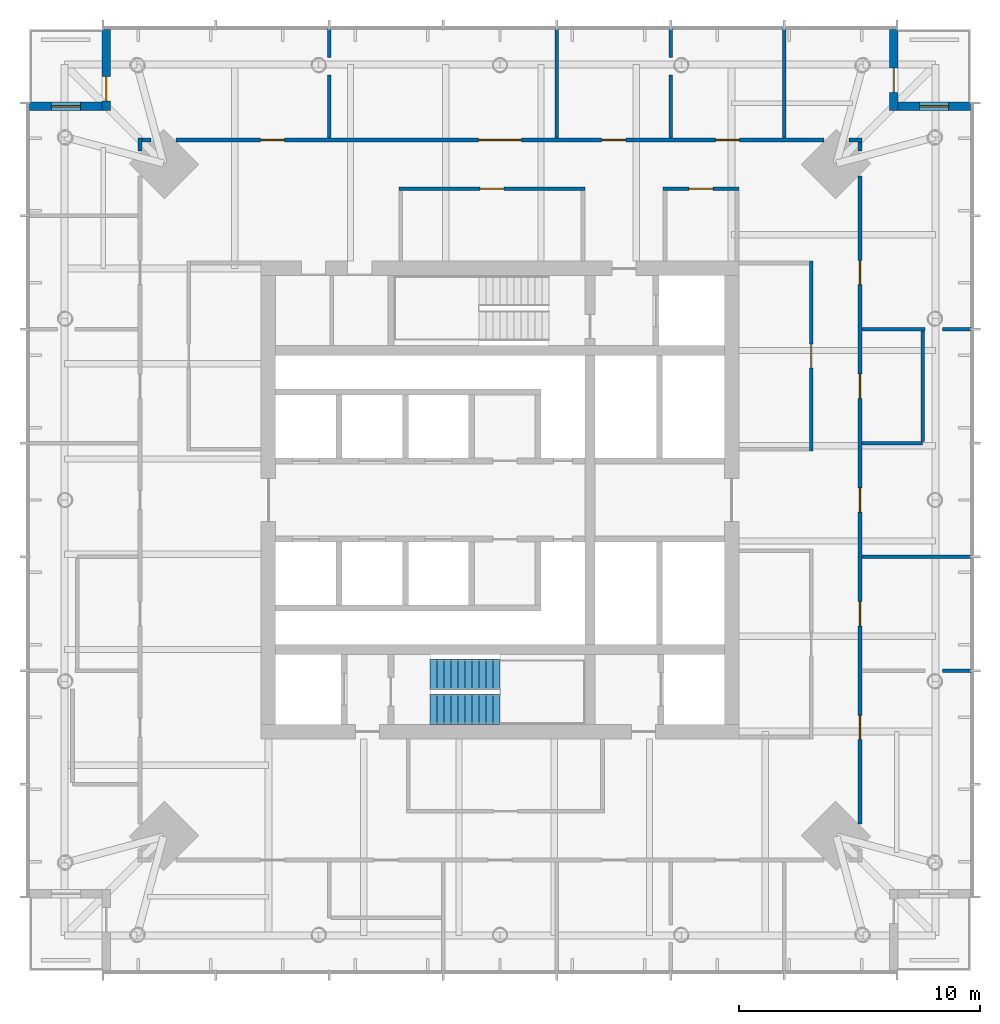
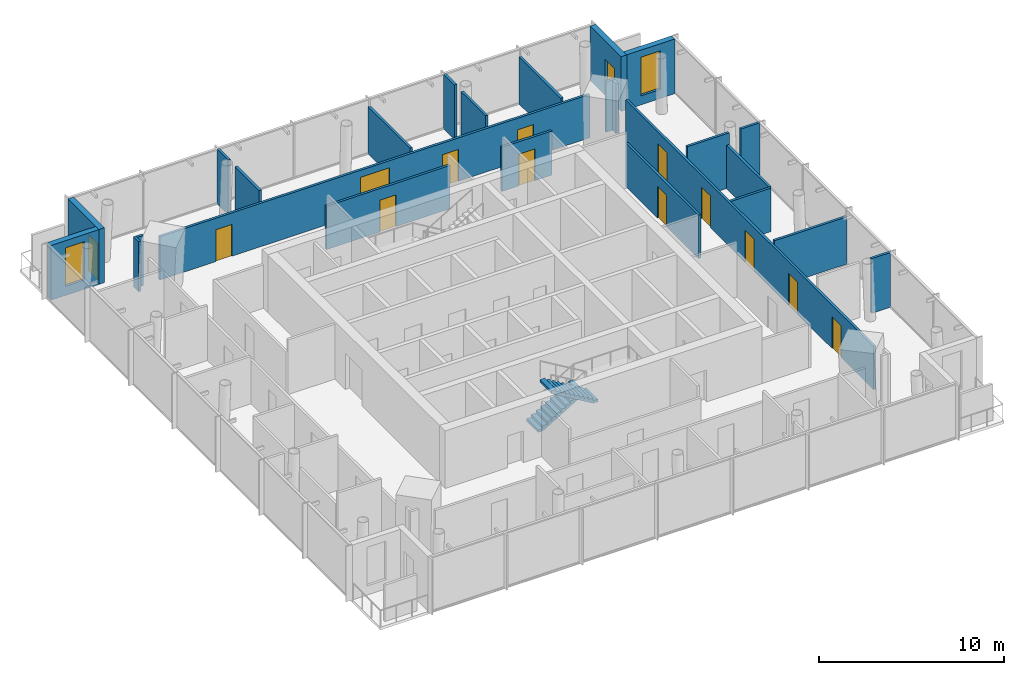
# One storey, part 7 of 9: 25 walls, 14 doors, 2 stair flights, 2 windows, 16 openings, 1 element without a shape of its own.
"""IFC4 building model written with IfcOpenShell, lengths in metres."""

from ifc_helpers import new_model, si_unit, direction, frame, frame_2d, origin, place, context, subcontext, project, spatial, polyline, rectangle, outline, extrude, material, layer, layer_set, type_object, element, fill, aggregate, save


model = new_model("IFC4")

# Units and contexts
model_context = context("Model", 3, precision=1e-05, world=origin(), true_north=direction((0.0, 1.0)))
body_context = subcontext(model_context, "Body", "Model", "MODEL_VIEW")
ifc_project = project(units=[si_unit("LENGTHUNIT", "METRE"), si_unit("AREAUNIT", "SQUARE_METRE"), si_unit("VOLUMEUNIT", "CUBIC_METRE"), si_unit("PLANEANGLEUNIT", "RADIAN"), si_unit("MASSUNIT", "GRAM", prefix="KILO")], contexts=[model_context])

# Site, building, storey
site_placement = place(None, origin())
site = spatial("IfcSite", under=ifc_project, at=site_placement, CompositionType="ELEMENT")
building_placement = place(site_placement, origin())
building = spatial("IfcBuilding", under=site, at=building_placement, Name="Ostroluk Exchange", CompositionType="ELEMENT")
storey_placement = place(building_placement, frame((0.0, 0.0, 207.199951171875)))
storey = spatial("IfcBuildingStorey", under=building, at=storey_placement, Name="L53", CompositionType="ELEMENT", Elevation=207.199951171875)

# Wall, opening, door
ifc_material_1 = material(Name="Limestone", Category="masonry")
ifc_layer_1 = layer(ifc_material_1, 0.35009765625)
ifc_layer_set_1 = layer_set([ifc_layer_1], Name="Limestone facade wall 350")
wall_type_1 = type_object("IfcWallType", Name="Limestone facade wall 350", PredefinedType="SOLIDWALL", material=ifc_layer_set_1)
wall_1_placement = place(storey_placement, frame((61.324951171875, 65.5, 0.0), z_axis=(0.0, 0.0, 1.0), x_axis=(0.0, -1.0, 0.0)))
wall_1 = element("IfcWall", 1, at=wall_1_placement, inside=storey, type_object=wall_type_1, Name="Office tower NE corner wall L53 a", PredefinedType="SOLIDWALL", context=body_context, shape_type="SweptSolid", body=[
    extrude(rectangle(XDim=3.35009765625, YDim=0.35009765625, at=frame_2d((1.675048828125, 0.0))), origin(), (0.0, 0.0, 1.0), 3.6201171875),
])
opening_1_placement = place(wall_1_placement, frame((1.60009765625, 0.0, 0.0)))
opening_1 = element("IfcOpeningElement", 2, at=opening_1_placement, cuts=wall_1, Name="Opening D-B1", PredefinedType="OPENING", context=body_context, shape_type="SweptSolid", body=[
    extrude(rectangle(XDim=1.0, YDim=2.39990234375, at=frame_2d((0.5, 1.199951171875))), frame((0.0, 0.18505859375, 0.0), z_axis=(0.0, -1.0, 0.0), x_axis=(1.0, 0.0, 0.0)), (0.0, 0.0, 1.0), 0.3701171875),
])
ifc_material_2 = material(Name="Bronze framed glazed door", Category="aluminium")
door_type_1 = type_object("IfcDoorType", Name="Balcony door 1000 x 2400", OperationType="SINGLE_SWING_LEFT", PredefinedType="DOOR", material=ifc_material_2)
door_1_placement = place(opening_1_placement, origin())
door_1 = element("IfcDoor", 3, at=door_1_placement, inside=storey, type_object=door_type_1, Name="Office tower NE balcony door L53", OperationType="SINGLE_SWING_RIGHT", OverallHeight=2.39990234375, OverallWidth=1.0, PredefinedType="DOOR", context=body_context, shape_type="SweptSolid", body=[
    extrude(rectangle(XDim=1.0, YDim=2.39990234375, at=frame_2d((0.5, 1.199951171875))), frame((0.0, 0.02490234375, 0.0), z_axis=(0.0, -1.0, 0.0), x_axis=(1.0, 0.0, 0.0)), (0.0, 0.0, 1.0), 0.050048828125),
])
fill(opening_1, door_1)

# Wall, opening, window
wall_2_placement = place(storey_placement, frame((61.5, 62.324951171875, 0.0), z_axis=(0.0, 0.0, 1.0), x_axis=(1.0, 0.0, 0.0)))
wall_2 = element("IfcWall", 4, at=wall_2_placement, inside=storey, type_object=wall_type_1, Name="Office tower NE corner wall L53 b", PredefinedType="SOLIDWALL", context=body_context, shape_type="SweptSolid", body=[
    extrude(rectangle(XDim=3.0, YDim=0.35009765625, at=frame_2d((1.5, 0.0))), origin(), (0.0, 0.0, 1.0), 3.6201171875),
])
opening_2_placement = place(wall_2_placement, frame((0.89990234375, 0.0, 0.60009765625)))
opening_2 = element("IfcOpeningElement", 5, at=opening_2_placement, cuts=wall_2, Name="Opening WN-L1", PredefinedType="OPENING", context=body_context, shape_type="SweptSolid", body=[
    extrude(rectangle(XDim=1.199951171875, YDim=2.550048828125, at=frame_2d((0.60009765625, 1.27490234375))), frame((0.0, 0.18505859375, 0.0), z_axis=(0.0, -1.0, 0.0), x_axis=(1.0, 0.0, 0.0)), (0.0, 0.0, 1.0), 0.3701171875),
])
ifc_material_3 = material(Name="Laminated clear glass", Category="glass")
window_type = type_object("IfcWindowType", Name="Lancet window 1200 x 2550", PartitioningType="SINGLE_PANEL", PredefinedType="WINDOW", material=ifc_material_3)
window_1_placement = place(opening_2_placement, origin())
window_1 = element("IfcWindow", 6, at=window_1_placement, inside=storey, type_object=window_type, Name="Office tower NE lancet window L53", OverallHeight=2.550048828125, OverallWidth=1.199951171875, PartitioningType="SINGLE_PANEL", PredefinedType="WINDOW", context=body_context, shape_type="SweptSolid", body=[
    extrude(rectangle(XDim=1.199951171875, YDim=2.550048828125, at=frame_2d((0.60009765625, 1.27490234375))), frame((0.0, 0.030029296875, 0.0), z_axis=(0.0, -1.0, 0.0), x_axis=(1.0, 0.0, 0.0)), (0.0, 0.0, 1.0), 0.06005859375),
])
fill(opening_2, window_1)

# Wall, opening, door
wall_3_placement = place(storey_placement, frame((28.675048828125, 65.5, 0.0), z_axis=(0.0, 0.0, 1.0), x_axis=(0.0, -1.0, 0.0)))
wall_3 = element("IfcWall", 7, at=wall_3_placement, inside=storey, type_object=wall_type_1, Name="Office tower NW corner wall L53 a", PredefinedType="SOLIDWALL", context=body_context, shape_type="SweptSolid", body=[
    extrude(rectangle(XDim=3.35009765625, YDim=0.35009765625, at=frame_2d((1.675048828125, 0.0))), origin(), (0.0, 0.0, 1.0), 3.6201171875),
])
opening_3_placement = place(wall_3_placement, frame((1.949951171875, 0.0, 0.0)))
opening_3 = element("IfcOpeningElement", 8, at=opening_3_placement, cuts=wall_3, Name="Opening D-B1", PredefinedType="OPENING", context=body_context, shape_type="SweptSolid", body=[
    extrude(rectangle(XDim=1.0, YDim=2.39990234375, at=frame_2d((0.5, 1.199951171875))), frame((0.0, 0.18505859375, 0.0), z_axis=(0.0, -1.0, 0.0), x_axis=(1.0, 0.0, 0.0)), (0.0, 0.0, 1.0), 0.3701171875),
])
door_2_placement = place(opening_3_placement, origin())
door_2 = element("IfcDoor", 9, at=door_2_placement, inside=storey, type_object=door_type_1, Name="Office tower NW balcony door L53", OperationType="SINGLE_SWING_RIGHT", OverallHeight=2.39990234375, OverallWidth=1.0, PredefinedType="DOOR", context=body_context, shape_type="SweptSolid", body=[
    extrude(rectangle(XDim=1.0, YDim=2.39990234375, at=frame_2d((0.5, 1.199951171875))), frame((0.0, 0.02490234375, 0.0), z_axis=(0.0, -1.0, 0.0), x_axis=(1.0, 0.0, 0.0)), (0.0, 0.0, 1.0), 0.050048828125),
])
fill(opening_3, door_2)

# Wall, opening, window
wall_4_placement = place(storey_placement, frame((28.5, 62.324951171875, 0.0), z_axis=(0.0, 0.0, 1.0), x_axis=(-1.0, 0.0, 0.0)))
wall_4 = element("IfcWall", 10, at=wall_4_placement, inside=storey, type_object=wall_type_1, Name="Office tower NW corner wall L53 b", PredefinedType="SOLIDWALL", context=body_context, shape_type="SweptSolid", body=[
    extrude(rectangle(XDim=3.0, YDim=0.35009765625, at=frame_2d((1.5, 0.0))), origin(), (0.0, 0.0, 1.0), 3.6201171875),
])
opening_4_placement = place(wall_4_placement, frame((0.89990234375, 0.0, 0.60009765625)))
opening_4 = element("IfcOpeningElement", 11, at=opening_4_placement, cuts=wall_4, Name="Opening WN-L1", PredefinedType="OPENING", context=body_context, shape_type="SweptSolid", body=[
    extrude(rectangle(XDim=1.199951171875, YDim=2.550048828125, at=frame_2d((0.60009765625, 1.27490234375))), frame((0.0, 0.18505859375, 0.0), z_axis=(0.0, -1.0, 0.0), x_axis=(1.0, 0.0, 0.0)), (0.0, 0.0, 1.0), 0.3701171875),
])
window_2_placement = place(opening_4_placement, origin())
window_2 = element("IfcWindow", 12, at=window_2_placement, inside=storey, type_object=window_type, Name="Office tower NW lancet window L53", OverallHeight=2.550048828125, OverallWidth=1.199951171875, PartitioningType="SINGLE_PANEL", PredefinedType="WINDOW", context=body_context, shape_type="SweptSolid", body=[
    extrude(rectangle(XDim=1.199951171875, YDim=2.550048828125, at=frame_2d((0.60009765625, 1.27490234375))), frame((0.0, 0.030029296875, 0.0), z_axis=(0.0, -1.0, 0.0), x_axis=(1.0, 0.0, 0.0)), (0.0, 0.0, 1.0), 0.06005859375),
])
fill(opening_4, window_2)

# Wall, opening, door
ifc_material_4 = material(Name="Gypsum plasterboard partition", Category="gypsum")
ifc_layer_2 = layer(ifc_material_4, 0.14990234375)
ifc_layer_set_2 = layer_set([ifc_layer_2], Name="Plasterboard partition 150")
wall_type_2 = type_object("IfcWallType", Name="Plasterboard partition 150", PredefinedType="PARTITIONING", material=ifc_layer_set_2)
wall_5_placement = place(storey_placement, frame((57.89990234375, 48.02490234375, 0.0), z_axis=(0.0, 0.0, 1.0), x_axis=(0.0, 1.0, 0.0)))
wall_5 = element("IfcWall", 13, at=wall_5_placement, inside=storey, type_object=wall_type_2, Name="Partition", PredefinedType="PARTITIONING", context=body_context, shape_type="SweptSolid", body=[
    extrude(rectangle(XDim=7.875, YDim=0.14990234375, at=frame_2d((3.9375, 0.0))), origin(), (0.0, 0.0, 1.0), 2.866943359375),
])
opening_5_placement = place(wall_5_placement, frame((3.4375, 0.0, 0.0)))
opening_5 = element("IfcOpeningElement", 14, at=opening_5_placement, cuts=wall_5, Name="Opening D-03", PredefinedType="OPENING", context=body_context, shape_type="SweptSolid", body=[
    extrude(rectangle(XDim=1.0, YDim=2.10009765625, at=frame_2d((0.5, 1.050048828125))), frame((0.0, 0.0849609375, 0.0), z_axis=(0.0, -1.0, 0.0), x_axis=(1.0, 0.0, 0.0)), (0.0, 0.0, 1.0), 0.169921875),
])
ifc_material_5 = material(Name="Timber", Category="wood")
door_type_2 = type_object("IfcDoorType", Name="Internal door 1000 x 2100", OperationType="SINGLE_SWING_LEFT", PredefinedType="DOOR", material=ifc_material_5)
door_3_placement = place(opening_5_placement, origin())
door_3 = element("IfcDoor", 15, at=door_3_placement, inside=storey, type_object=door_type_2, Name="Meeting room door", OperationType="SINGLE_SWING_LEFT", OverallHeight=2.10009765625, OverallWidth=1.0, PredefinedType="DOOR", context=body_context, shape_type="SweptSolid", body=[
    extrude(rectangle(XDim=1.0, YDim=2.10009765625, at=frame_2d((0.5, 1.050048828125))), frame((0.0, 0.02490234375, 0.0), z_axis=(0.0, -1.0, 0.0), x_axis=(1.0, 0.0, 0.0)), (0.0, 0.0, 1.0), 0.050048828125),
])
fill(opening_5, door_3)

wall_6_placement = place(storey_placement, frame((54.89990234375, 58.89990234375, 0.0), z_axis=(0.0, 0.0, 1.0), x_axis=(-1.0, 0.0, 0.0)))
wall_6 = element("IfcWall", 16, at=wall_6_placement, inside=storey, type_object=wall_type_2, Name="Partition", PredefinedType="PARTITIONING", context=body_context, shape_type="SweptSolid", body=[
    extrude(rectangle(XDim=3.135009765625, YDim=0.14990234375, at=frame_2d((1.5673828125, 0.0))), origin(), (0.0, 0.0, 1.0), 2.920166015625),
])
opening_6_placement = place(wall_6_placement, frame((1.0673828125, 0.0, 0.0)))
opening_6 = element("IfcOpeningElement", 17, at=opening_6_placement, cuts=wall_6, Name="Opening D-03", PredefinedType="OPENING", context=body_context, shape_type="SweptSolid", body=[
    extrude(rectangle(XDim=1.0, YDim=2.10009765625, at=frame_2d((0.5, 1.050048828125))), frame((0.0, 0.0849609375, 0.0), z_axis=(0.0, -1.0, 0.0), x_axis=(1.0, 0.0, 0.0)), (0.0, 0.0, 1.0), 0.169921875),
])
door_4_placement = place(opening_6_placement, origin())
door_4 = element("IfcDoor", 18, at=door_4_placement, inside=storey, type_object=door_type_2, Name="Meeting room door", OperationType="SINGLE_SWING_RIGHT", OverallHeight=2.10009765625, OverallWidth=1.0, PredefinedType="DOOR", context=body_context, shape_type="SweptSolid", body=[
    extrude(rectangle(XDim=1.0, YDim=2.10009765625, at=frame_2d((0.5, 1.050048828125))), frame((0.0, 0.02490234375, 0.0), z_axis=(0.0, -1.0, 0.0), x_axis=(1.0, 0.0, 0.0)), (0.0, 0.0, 1.0), 0.050048828125),
])
fill(opening_6, door_4)

wall_7_placement = place(storey_placement, frame((48.514892578125, 58.89990234375, 0.0), z_axis=(0.0, 0.0, 1.0), x_axis=(-1.0, 0.0, 0.0)))
wall_7 = element("IfcWall", 19, at=wall_7_placement, inside=storey, type_object=wall_type_2, Name="Partition", PredefinedType="PARTITIONING", context=body_context, shape_type="SweptSolid", body=[
    extrude(rectangle(XDim=7.702392578125, YDim=0.14990234375, at=frame_2d((3.85107421875, 0.0))), origin(), (0.0, 0.0, 1.0), 2.866943359375),
])
opening_7_placement = place(wall_7_placement, frame((3.351318359375, 0.0, 0.0)))
opening_7 = element("IfcOpeningElement", 20, at=opening_7_placement, cuts=wall_7, Name="Opening D-03", PredefinedType="OPENING", context=body_context, shape_type="SweptSolid", body=[
    extrude(rectangle(XDim=1.0, YDim=2.10009765625, at=frame_2d((0.5, 1.050048828125))), frame((0.0, 0.0849609375, 0.0), z_axis=(0.0, -1.0, 0.0), x_axis=(1.0, 0.0, 0.0)), (0.0, 0.0, 1.0), 0.169921875),
])
door_5_placement = place(opening_7_placement, origin())
door_5 = element("IfcDoor", 21, at=door_5_placement, inside=storey, type_object=door_type_2, Name="Meeting room door", OperationType="SINGLE_SWING_LEFT", OverallHeight=2.10009765625, OverallWidth=1.0, PredefinedType="DOOR", context=body_context, shape_type="SweptSolid", body=[
    extrude(rectangle(XDim=1.0, YDim=2.10009765625, at=frame_2d((0.5, 1.050048828125))), frame((0.0, 0.02490234375, 0.0), z_axis=(0.0, -1.0, 0.0), x_axis=(1.0, 0.0, 0.0)), (0.0, 0.0, 1.0), 0.050048828125),
])
fill(opening_7, door_5)

# Wall
wall_8_placement = place(storey_placement, frame((62.52490234375, 48.43212890625, 0.0), z_axis=(0.0, 0.0, 1.0), x_axis=(0.0, 1.0, 0.0)))
element("IfcWall", 22, at=wall_8_placement, inside=storey, type_object=wall_type_2, Name="Partition", PredefinedType="PARTITIONING", context=body_context, shape_type="SweptSolid", body=[
    extrude(rectangle(XDim=4.564208984375, YDim=0.14990234375, at=frame_2d((2.2822265625, 0.0))), origin(), (0.0, 0.0, 1.0), 2.866943359375),
])

# Wall, openings, doors
wall_9_placement = place(storey_placement, frame((59.925048828125, 32.564208984375, 0.0), z_axis=(0.0, 0.0, 1.0), x_axis=(0.0, 1.0, 0.0)))
wall_9 = element("IfcWall", 23, at=wall_9_placement, inside=storey, type_object=wall_type_2, Name="Partition", PredefinedType="PARTITIONING", context=body_context, shape_type="SweptSolid", body=[
    extrude(rectangle(XDim=26.87158203125, YDim=0.14990234375, at=frame_2d((13.435791015625, 0.0))), origin(), (0.0, 0.0, 1.0), 2.866943359375),
])
opening_8_placement = place(wall_9_placement, frame((3.50732421875, 0.0, 0.0)))
opening_8 = element("IfcOpeningElement", 24, at=opening_8_placement, cuts=wall_9, Name="Opening D-03", PredefinedType="OPENING", context=body_context, shape_type="SweptSolid", body=[
    extrude(rectangle(XDim=1.0, YDim=2.10009765625, at=frame_2d((0.5, 1.050048828125))), frame((0.0, 0.0849609375, 0.0), z_axis=(0.0, -1.0, 0.0), x_axis=(1.0, 0.0, 0.0)), (0.0, 0.0, 1.0), 0.169921875),
])
opening_9_placement = place(wall_9_placement, frame((8.221435546875, 0.0, 0.0)))
opening_9 = element("IfcOpeningElement", 25, at=opening_9_placement, cuts=wall_9, Name="Opening D-03", PredefinedType="OPENING", context=body_context, shape_type="SweptSolid", body=[
    extrude(rectangle(XDim=1.0, YDim=2.10009765625, at=frame_2d((0.5, 1.050048828125))), frame((0.0, 0.0849609375, 0.0), z_axis=(0.0, -1.0, 0.0), x_axis=(1.0, 0.0, 0.0)), (0.0, 0.0, 1.0), 0.169921875),
])
opening_10_placement = place(wall_9_placement, frame((12.935791015625, 0.0, 0.0)))
opening_10 = element("IfcOpeningElement", 26, at=opening_10_placement, cuts=wall_9, Name="Opening D-03", PredefinedType="OPENING", context=body_context, shape_type="SweptSolid", body=[
    extrude(rectangle(XDim=1.0, YDim=2.10009765625, at=frame_2d((0.5, 1.050048828125))), frame((0.0, 0.0849609375, 0.0), z_axis=(0.0, -1.0, 0.0), x_axis=(1.0, 0.0, 0.0)), (0.0, 0.0, 1.0), 0.169921875),
])
opening_11_placement = place(wall_9_placement, frame((17.650146484375, 0.0, 0.0)))
opening_11 = element("IfcOpeningElement", 27, at=opening_11_placement, cuts=wall_9, Name="Opening D-03", PredefinedType="OPENING", context=body_context, shape_type="SweptSolid", body=[
    extrude(rectangle(XDim=1.0, YDim=2.10009765625, at=frame_2d((0.5, 1.050048828125))), frame((0.0, 0.0849609375, 0.0), z_axis=(0.0, -1.0, 0.0), x_axis=(1.0, 0.0, 0.0)), (0.0, 0.0, 1.0), 0.169921875),
])
opening_12_placement = place(wall_9_placement, frame((22.3642578125, 0.0, 0.0)))
opening_12 = element("IfcOpeningElement", 28, at=opening_12_placement, cuts=wall_9, Name="Opening D-03", PredefinedType="OPENING", context=body_context, shape_type="SweptSolid", body=[
    extrude(rectangle(XDim=1.0, YDim=2.10009765625, at=frame_2d((0.5, 1.050048828125))), frame((0.0, 0.0849609375, 0.0), z_axis=(0.0, -1.0, 0.0), x_axis=(1.0, 0.0, 0.0)), (0.0, 0.0, 1.0), 0.169921875),
])
door_6_placement = place(opening_8_placement, origin())
door_6 = element("IfcDoor", 29, at=door_6_placement, inside=storey, type_object=door_type_2, Name="Office suite door", OperationType="SINGLE_SWING_LEFT", OverallHeight=2.10009765625, OverallWidth=1.0, PredefinedType="DOOR", context=body_context, shape_type="SweptSolid", body=[
    extrude(rectangle(XDim=1.0, YDim=2.10009765625, at=frame_2d((0.5, 1.050048828125))), frame((0.0, 0.02490234375, 0.0), z_axis=(0.0, -1.0, 0.0), x_axis=(1.0, 0.0, 0.0)), (0.0, 0.0, 1.0), 0.050048828125),
])
fill(opening_8, door_6)
door_7_placement = place(opening_9_placement, origin())
door_7 = element("IfcDoor", 30, at=door_7_placement, inside=storey, type_object=door_type_2, Name="Meeting room door", OperationType="SINGLE_SWING_LEFT", OverallHeight=2.10009765625, OverallWidth=1.0, PredefinedType="DOOR", context=body_context, shape_type="SweptSolid", body=[
    extrude(rectangle(XDim=1.0, YDim=2.10009765625, at=frame_2d((0.5, 1.050048828125))), frame((0.0, 0.02490234375, 0.0), z_axis=(0.0, -1.0, 0.0), x_axis=(1.0, 0.0, 0.0)), (0.0, 0.0, 1.0), 0.050048828125),
])
fill(opening_9, door_7)
door_8_placement = place(opening_10_placement, origin())
door_8 = element("IfcDoor", 31, at=door_8_placement, inside=storey, type_object=door_type_2, Name="Office door", OperationType="SINGLE_SWING_LEFT", OverallHeight=2.10009765625, OverallWidth=1.0, PredefinedType="DOOR", context=body_context, shape_type="SweptSolid", body=[
    extrude(rectangle(XDim=1.0, YDim=2.10009765625, at=frame_2d((0.5, 1.050048828125))), frame((0.0, 0.02490234375, 0.0), z_axis=(0.0, -1.0, 0.0), x_axis=(1.0, 0.0, 0.0)), (0.0, 0.0, 1.0), 0.050048828125),
])
fill(opening_10, door_8)
door_9_placement = place(opening_11_placement, origin())
door_9 = element("IfcDoor", 32, at=door_9_placement, inside=storey, type_object=door_type_2, Name="Pantry door", OperationType="SINGLE_SWING_RIGHT", OverallHeight=2.10009765625, OverallWidth=1.0, PredefinedType="DOOR", context=body_context, shape_type="SweptSolid", body=[
    extrude(rectangle(XDim=1.0, YDim=2.10009765625, at=frame_2d((0.5, 1.050048828125))), frame((0.0, 0.02490234375, 0.0), z_axis=(0.0, -1.0, 0.0), x_axis=(1.0, 0.0, 0.0)), (0.0, 0.0, 1.0), 0.050048828125),
])
fill(opening_11, door_9)
door_10_placement = place(opening_12_placement, origin())
door_10 = element("IfcDoor", 33, at=door_10_placement, inside=storey, type_object=door_type_2, Name="Office door", OperationType="SINGLE_SWING_RIGHT", OverallHeight=2.10009765625, OverallWidth=1.0, PredefinedType="DOOR", context=body_context, shape_type="SweptSolid", body=[
    extrude(rectangle(XDim=1.0, YDim=2.10009765625, at=frame_2d((0.5, 1.050048828125))), frame((0.0, 0.02490234375, 0.0), z_axis=(0.0, -1.0, 0.0), x_axis=(1.0, 0.0, 0.0)), (0.0, 0.0, 1.0), 0.050048828125),
])
fill(opening_12, door_10)

# Walls
wall_10_placement = place(storey_placement, frame((59.925048828125, 60.464111328125, 0.0), z_axis=(0.0, 0.0, 1.0), x_axis=(0.0, 1.0, 0.0)))
element("IfcWall", 34, at=wall_10_placement, inside=storey, type_object=wall_type_2, Name="Partition", PredefinedType="PARTITIONING", context=body_context, shape_type="SweptSolid", body=[
    extrude(rectangle(XDim=0.385986328125, YDim=0.14990234375, at=frame_2d((0.19287109375, 0.0))), origin(), (0.0, 0.0, 1.0), 3.320068359375),
])
wall_11_placement = place(storey_placement, frame((63.35498046875, 38.928466796875, 0.0), z_axis=(0.0, 0.0, 1.0), x_axis=(1.0, 0.0, 0.0)))
element("IfcWall", 35, at=wall_11_placement, inside=storey, type_object=wall_type_2, Name="Partition", PredefinedType="PARTITIONING", context=body_context, shape_type="SweptSolid", body=[
    extrude(rectangle(XDim=1.18505859375, YDim=0.14990234375, at=frame_2d((0.592529296875, 0.0))), origin(), (0.0, 0.0, 1.0), 3.6201171875),
])
wall_12_placement = place(storey_placement, frame((60.0, 43.642822265625, 0.0), z_axis=(0.0, 0.0, 1.0), x_axis=(1.0, 0.0, 0.0)))
element("IfcWall", 36, at=wall_12_placement, inside=storey, type_object=wall_type_2, Name="Partition", PredefinedType="PARTITIONING", context=body_context, shape_type="SweptSolid", body=[
    extrude(rectangle(XDim=4.5400390625, YDim=0.14990234375, at=frame_2d((2.27001953125, 0.0))), origin(), (0.0, 0.0, 1.0), 3.1201171875),
])
wall_13_placement = place(storey_placement, frame((60.0, 48.357177734375, 0.0), z_axis=(0.0, 0.0, 1.0), x_axis=(1.0, 0.0, 0.0)))
element("IfcWall", 37, at=wall_13_placement, inside=storey, type_object=wall_type_2, Name="Partition", PredefinedType="PARTITIONING", context=body_context, shape_type="SweptSolid", body=[
    extrude(rectangle(XDim=2.52490234375, YDim=0.14990234375, at=frame_2d((1.262451171875, 0.0))), origin(), (0.0, 0.0, 1.0), 2.866943359375),
])
wall_14_placement = place(storey_placement, frame((60.0, 53.071533203125, 0.0), z_axis=(0.0, 0.0, 1.0), x_axis=(1.0, 0.0, 0.0)))
element("IfcWall", 38, at=wall_14_placement, inside=storey, type_object=wall_type_2, Name="Partition", PredefinedType="PARTITIONING", context=body_context, shape_type="SweptSolid", body=[
    extrude(rectangle(XDim=2.62353515625, YDim=0.14990234375, at=frame_2d((1.311767578125, 0.0))), origin(), (0.0, 0.0, 1.0), 3.6201171875),
])
wall_15_placement = place(storey_placement, frame((63.35498046875, 53.071533203125, 0.0), z_axis=(0.0, 0.0, 1.0), x_axis=(1.0, 0.0, 0.0)))
element("IfcWall", 39, at=wall_15_placement, inside=storey, type_object=wall_type_2, Name="Partition", PredefinedType="PARTITIONING", context=body_context, shape_type="SweptSolid", body=[
    extrude(rectangle(XDim=1.18505859375, YDim=0.14990234375, at=frame_2d((0.592529296875, 0.0))), origin(), (0.0, 0.0, 1.0), 3.6201171875),
])
wall_16_placement = place(storey_placement, frame((60.0, 60.925048828125, 0.0), z_axis=(0.0, 0.0, 1.0), x_axis=(-1.0, 0.0, 0.0)))
element("IfcWall", 40, at=wall_16_placement, inside=storey, type_object=wall_type_2, Name="Partition", PredefinedType="PARTITIONING", context=body_context, shape_type="SweptSolid", body=[
    extrude(rectangle(XDim=0.535888671875, YDim=0.14990234375, at=frame_2d((0.26806640625, 0.0))), origin(), (0.0, 0.0, 1.0), 3.320068359375),
])

# Wall, openings, doors
wall_17_placement = place(storey_placement, frame((58.435791015625, 60.925048828125, 0.0), z_axis=(0.0, 0.0, 1.0), x_axis=(-1.0, 0.0, 0.0)))
wall_17 = element("IfcWall", 41, at=wall_17_placement, inside=storey, type_object=wall_type_2, Name="Partition", PredefinedType="PARTITIONING", context=body_context, shape_type="SweptSolid", body=[
    extrude(rectangle(XDim=26.87158203125, YDim=0.14990234375, at=frame_2d((13.435791015625, 0.0))), origin(), (0.0, 0.0, 1.0), 2.866943359375),
])
opening_13_placement = place(wall_17_placement, frame((3.50732421875, 0.0, 0.0)))
opening_13 = element("IfcOpeningElement", 42, at=opening_13_placement, cuts=wall_17, Name="Opening D-03", PredefinedType="OPENING", context=body_context, shape_type="SweptSolid", body=[
    extrude(rectangle(XDim=1.0, YDim=2.10009765625, at=frame_2d((0.5, 1.050048828125))), frame((0.0, 0.0849609375, 0.0), z_axis=(0.0, -1.0, 0.0), x_axis=(1.0, 0.0, 0.0)), (0.0, 0.0, 1.0), 0.169921875),
])
opening_14_placement = place(wall_17_placement, frame((8.221435546875, 0.0, 0.0)))
opening_14 = element("IfcOpeningElement", 43, at=opening_14_placement, cuts=wall_17, Name="Opening D-03", PredefinedType="OPENING", context=body_context, shape_type="SweptSolid", body=[
    extrude(rectangle(XDim=1.0, YDim=2.10009765625, at=frame_2d((0.5, 1.050048828125))), frame((0.0, 0.0849609375, 0.0), z_axis=(0.0, -1.0, 0.0), x_axis=(1.0, 0.0, 0.0)), (0.0, 0.0, 1.0), 0.169921875),
])
opening_15_placement = place(wall_17_placement, frame((12.535888671875, 0.0, 0.0)))
opening_15 = element("IfcOpeningElement", 44, at=opening_15_placement, cuts=wall_17, Name="Opening D-04", PredefinedType="OPENING", context=body_context, shape_type="SweptSolid", body=[
    extrude(rectangle(XDim=1.800048828125, YDim=2.39990234375, at=frame_2d((0.89990234375, 1.199951171875))), frame((0.0, 0.0849609375, 0.0), z_axis=(0.0, -1.0, 0.0), x_axis=(1.0, 0.0, 0.0)), (0.0, 0.0, 1.0), 0.169921875),
])
opening_16_placement = place(wall_17_placement, frame((22.3642578125, 0.0, 0.0)))
opening_16 = element("IfcOpeningElement", 45, at=opening_16_placement, cuts=wall_17, Name="Opening D-03", PredefinedType="OPENING", context=body_context, shape_type="SweptSolid", body=[
    extrude(rectangle(XDim=1.0, YDim=2.10009765625, at=frame_2d((0.5, 1.050048828125))), frame((0.0, 0.0849609375, 0.0), z_axis=(0.0, -1.0, 0.0), x_axis=(1.0, 0.0, 0.0)), (0.0, 0.0, 1.0), 0.169921875),
])
ifc_material_6 = material(Name="Timber", Category="wood")
door_type_3 = type_object("IfcDoorType", Name="Double door 1800 x 2400", OperationType="DOUBLE_DOOR_SINGLE_SWING", PredefinedType="DOOR", material=ifc_material_6)
door_11_placement = place(opening_15_placement, origin())
door_11 = element("IfcDoor", 46, at=door_11_placement, inside=storey, type_object=door_type_3, Name="Boardroom door", OperationType="DOUBLE_DOOR_SINGLE_SWING", OverallHeight=2.39990234375, OverallWidth=1.800048828125, PredefinedType="DOOR", context=body_context, shape_type="SweptSolid", body=[
    extrude(rectangle(XDim=1.800048828125, YDim=2.39990234375, at=frame_2d((0.89990234375, 1.199951171875))), frame((0.0, 0.02490234375, 0.0), z_axis=(0.0, -1.0, 0.0), x_axis=(1.0, 0.0, 0.0)), (0.0, 0.0, 1.0), 0.050048828125),
])
fill(opening_15, door_11)
door_12_placement = place(opening_13_placement, origin())
door_12 = element("IfcDoor", 47, at=door_12_placement, inside=storey, type_object=door_type_2, Name="Office door", OperationType="SINGLE_SWING_LEFT", OverallHeight=2.10009765625, OverallWidth=1.0, PredefinedType="DOOR", context=body_context, shape_type="SweptSolid", body=[
    extrude(rectangle(XDim=1.0, YDim=2.10009765625, at=frame_2d((0.5, 1.050048828125))), frame((0.0, 0.02490234375, 0.0), z_axis=(0.0, -1.0, 0.0), x_axis=(1.0, 0.0, 0.0)), (0.0, 0.0, 1.0), 0.050048828125),
])
fill(opening_13, door_12)
door_13_placement = place(opening_14_placement, origin())
door_13 = element("IfcDoor", 48, at=door_13_placement, inside=storey, type_object=door_type_2, Name="Office door", OperationType="SINGLE_SWING_LEFT", OverallHeight=2.10009765625, OverallWidth=1.0, PredefinedType="DOOR", context=body_context, shape_type="SweptSolid", body=[
    extrude(rectangle(XDim=1.0, YDim=2.10009765625, at=frame_2d((0.5, 1.050048828125))), frame((0.0, 0.02490234375, 0.0), z_axis=(0.0, -1.0, 0.0), x_axis=(1.0, 0.0, 0.0)), (0.0, 0.0, 1.0), 0.050048828125),
])
fill(opening_14, door_13)
door_14_placement = place(opening_16_placement, origin())
door_14 = element("IfcDoor", 49, at=door_14_placement, inside=storey, type_object=door_type_2, Name="Office door", OperationType="SINGLE_SWING_RIGHT", OverallHeight=2.10009765625, OverallWidth=1.0, PredefinedType="DOOR", context=body_context, shape_type="SweptSolid", body=[
    extrude(rectangle(XDim=1.0, YDim=2.10009765625, at=frame_2d((0.5, 1.050048828125))), frame((0.0, 0.02490234375, 0.0), z_axis=(0.0, -1.0, 0.0), x_axis=(1.0, 0.0, 0.0)), (0.0, 0.0, 1.0), 0.050048828125),
])
fill(opening_16, door_14)

# Walls
wall_18_placement = place(storey_placement, frame((30.535888671875, 60.925048828125, 0.0), z_axis=(0.0, 0.0, 1.0), x_axis=(-1.0, 0.0, 0.0)))
element("IfcWall", 50, at=wall_18_placement, inside=storey, type_object=wall_type_2, Name="Partition", PredefinedType="PARTITIONING", context=body_context, shape_type="SweptSolid", body=[
    extrude(rectangle(XDim=0.385986328125, YDim=0.14990234375, at=frame_2d((0.19287109375, 0.0))), origin(), (0.0, 0.0, 1.0), 3.320068359375),
])
wall_19_placement = place(storey_placement, frame((56.78564453125, 61.0, 0.0), z_axis=(0.0, 0.0, 1.0), x_axis=(0.0, 1.0, 0.0)))
element("IfcWall", 51, at=wall_19_placement, inside=storey, type_object=wall_type_2, Name="Partition", PredefinedType="PARTITIONING", context=body_context, shape_type="SweptSolid", body=[
    extrude(rectangle(XDim=4.5400390625, YDim=0.14990234375, at=frame_2d((2.27001953125, 0.0))), origin(), (0.0, 0.0, 1.0), 3.1201171875),
])
wall_20_placement = place(storey_placement, frame((52.071533203125, 61.0, 0.0), z_axis=(0.0, 0.0, 1.0), x_axis=(0.0, 1.0, 0.0)))
element("IfcWall", 52, at=wall_20_placement, inside=storey, type_object=wall_type_2, Name="Partition", PredefinedType="PARTITIONING", context=body_context, shape_type="SweptSolid", body=[
    extrude(rectangle(XDim=2.62353515625, YDim=0.14990234375, at=frame_2d((1.311767578125, 0.0))), origin(), (0.0, 0.0, 1.0), 3.6201171875),
])
wall_21_placement = place(storey_placement, frame((52.071533203125, 64.35498046875, 0.0), z_axis=(0.0, 0.0, 1.0), x_axis=(0.0, 1.0, 0.0)))
element("IfcWall", 53, at=wall_21_placement, inside=storey, type_object=wall_type_2, Name="Partition", PredefinedType="PARTITIONING", context=body_context, shape_type="SweptSolid", body=[
    extrude(rectangle(XDim=1.18505859375, YDim=0.14990234375, at=frame_2d((0.592529296875, 0.0))), origin(), (0.0, 0.0, 1.0), 3.6201171875),
])
wall_22_placement = place(storey_placement, frame((47.357177734375, 61.0, 0.0), z_axis=(0.0, 0.0, 1.0), x_axis=(0.0, 1.0, 0.0)))
element("IfcWall", 54, at=wall_22_placement, inside=storey, type_object=wall_type_2, Name="Partition", PredefinedType="PARTITIONING", context=body_context, shape_type="SweptSolid", body=[
    extrude(rectangle(XDim=4.5400390625, YDim=0.14990234375, at=frame_2d((2.27001953125, 0.0))), origin(), (0.0, 0.0, 1.0), 3.1201171875),
])
wall_23_placement = place(storey_placement, frame((37.928466796875, 61.0, 0.0), z_axis=(0.0, 0.0, 1.0), x_axis=(0.0, 1.0, 0.0)))
element("IfcWall", 55, at=wall_23_placement, inside=storey, type_object=wall_type_2, Name="Partition", PredefinedType="PARTITIONING", context=body_context, shape_type="SweptSolid", body=[
    extrude(rectangle(XDim=2.62353515625, YDim=0.14990234375, at=frame_2d((1.311767578125, 0.0))), origin(), (0.0, 0.0, 1.0), 3.6201171875),
])
wall_24_placement = place(storey_placement, frame((37.928466796875, 64.35498046875, 0.0), z_axis=(0.0, 0.0, 1.0), x_axis=(0.0, 1.0, 0.0)))
element("IfcWall", 56, at=wall_24_placement, inside=storey, type_object=wall_type_2, Name="Partition", PredefinedType="PARTITIONING", context=body_context, shape_type="SweptSolid", body=[
    extrude(rectangle(XDim=1.18505859375, YDim=0.14990234375, at=frame_2d((0.592529296875, 0.0))), origin(), (0.0, 0.0, 1.0), 3.6201171875),
])
wall_25_placement = place(storey_placement, frame((30.074951171875, 61.0, 0.0), z_axis=(0.0, 0.0, 1.0), x_axis=(0.0, -1.0, 0.0)))
element("IfcWall", 57, at=wall_25_placement, inside=storey, type_object=wall_type_2, Name="Partition", PredefinedType="PARTITIONING", context=body_context, shape_type="SweptSolid", body=[
    extrude(rectangle(XDim=0.535888671875, YDim=0.14990234375, at=frame_2d((0.26806640625, 0.0))), origin(), (0.0, 0.0, 1.0), 3.320068359375),
])

# Stair, stair flights
ifc_material_7 = material(Name="Concrete C30/37", Category="concrete")
stair_type = type_object("IfcStairType", Name="Exit stair half turn 3800", PredefinedType="HALF_TURN_STAIR", material=ifc_material_7)
stair_placement = place(storey_placement, origin())
stair = element("IfcStair", 58, at=stair_placement, inside=storey, type_object=stair_type, Name="Stair T1-S1 L53", PredefinedType="HALF_TURN_STAIR")
ifc_material_8 = material(Name="Concrete C30/37", Category="concrete")
stair_flight_type = type_object("IfcStairFlightType", Name="Stair flight 11 risers 172.7 x 290", PredefinedType="STRAIGHT", material=ifc_material_8)
stair_flight_1_placement = place(storey_placement, frame((42.10009765625, 38.77490234375, 0.0), z_axis=(0.0, 0.0, 1.0), x_axis=(1.0, 0.0, 0.0)))
stair_flight_1 = element("IfcStairFlight", 59, at=stair_flight_1_placement, type_object=stair_flight_type, Name="T1-S1 flight 1", NumberOfRisers=11, NumberOfTreads=10, PredefinedType="STRAIGHT", RiserHeight=0.172727273, TreadLength=0.29, context=body_context, shape_type="SweptSolid", body=[
    extrude(outline(polyline([(0.0, 0.0), (0.0, 0.172607421875), (0.2900390625, 0.172607421875), (0.2900390625, 0.345458984375), (0.580078125, 0.345458984375), (0.580078125, 0.51806640625), (0.8701171875, 0.51806640625), (0.8701171875, 0.69091796875), (1.159912109375, 0.69091796875), (1.159912109375, 0.863525390625), (1.449951171875, 0.863525390625), (1.449951171875, 1.036376953125), (1.739990234375, 1.036376953125), (1.739990234375, 1.208984375), (2.030029296875, 1.208984375), (2.030029296875, 1.3818359375), (2.320068359375, 1.3818359375), (2.320068359375, 1.554443359375), (2.610107421875, 1.554443359375), (2.610107421875, 1.727294921875), (2.89990234375, 1.727294921875), (2.89990234375, 1.89990234375), (2.89990234375, 1.552734375), (0.29296875, 0.0), (0.0, 0.0)])), frame((0.0, 0.625, 0.0), z_axis=(0.0, -1.0, 0.0), x_axis=(1.0, 0.0, 0.0)), (0.0, 0.0, 1.0), 1.25),
])
stair_flight_2_placement = place(storey_placement, frame((45.0, 37.324951171875, 1.900146484375), z_axis=(0.0, 0.0, 1.0), x_axis=(-1.0, 0.0, 0.0)))
stair_flight_2 = element("IfcStairFlight", 60, at=stair_flight_2_placement, type_object=stair_flight_type, Name="T1-S1 flight 2", NumberOfRisers=11, NumberOfTreads=10, PredefinedType="STRAIGHT", RiserHeight=0.172727273, TreadLength=0.29, context=body_context, shape_type="SweptSolid", body=[
    extrude(outline(polyline([(0.0, 0.0), (0.0, 0.172607421875), (0.2900390625, 0.172607421875), (0.2900390625, 0.345458984375), (0.580078125, 0.345458984375), (0.580078125, 0.51806640625), (0.8701171875, 0.51806640625), (0.8701171875, 0.69091796875), (1.159912109375, 0.69091796875), (1.159912109375, 0.863525390625), (1.449951171875, 0.863525390625), (1.449951171875, 1.036376953125), (1.739990234375, 1.036376953125), (1.739990234375, 1.208984375), (2.030029296875, 1.208984375), (2.030029296875, 1.3818359375), (2.320068359375, 1.3818359375), (2.320068359375, 1.554443359375), (2.610107421875, 1.554443359375), (2.610107421875, 1.727294921875), (2.89990234375, 1.727294921875), (2.89990234375, 1.89990234375), (2.89990234375, 1.552734375), (0.29296875, 0.0), (0.0, 0.0)])), frame((0.0, 0.625, 0.0), z_axis=(0.0, -1.0, 0.0), x_axis=(1.0, 0.0, 0.0)), (0.0, 0.0, 1.0), 1.25),
])
aggregate(stair, [stair_flight_1, stair_flight_2])

save(model, "model.ifc")
